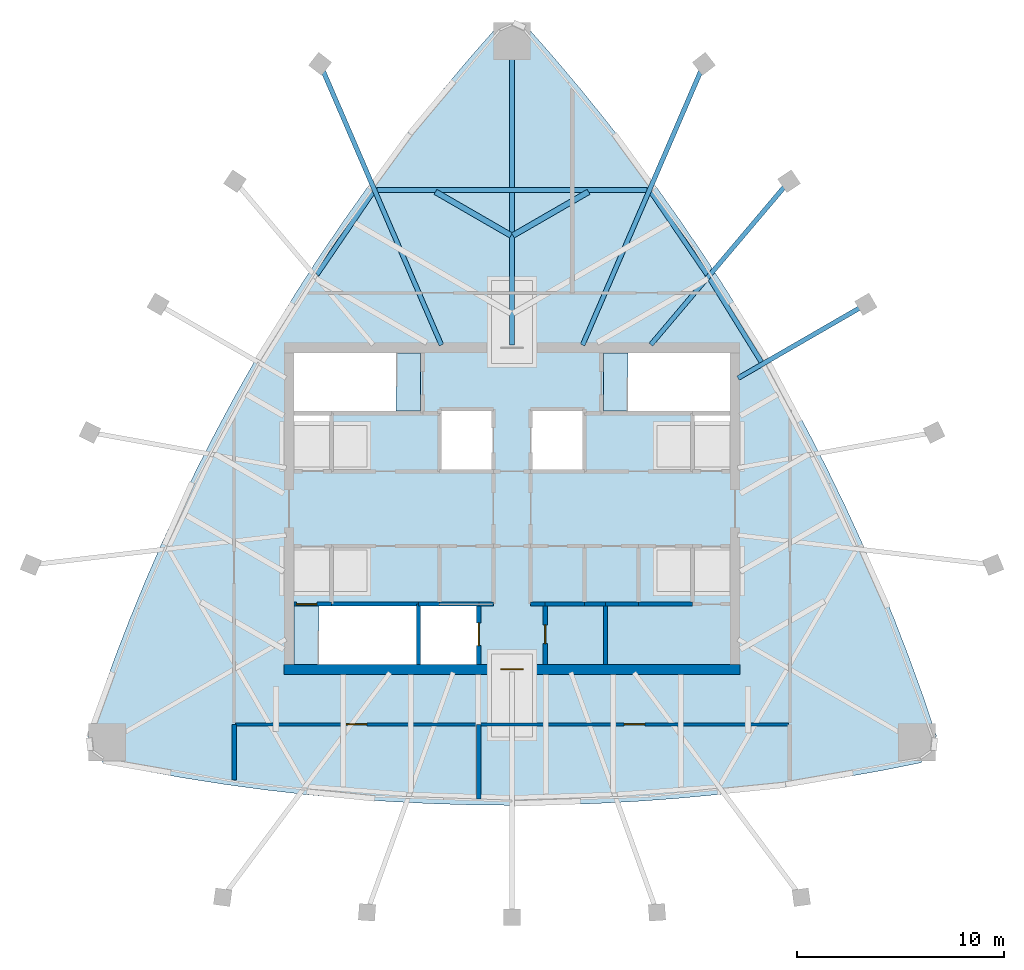
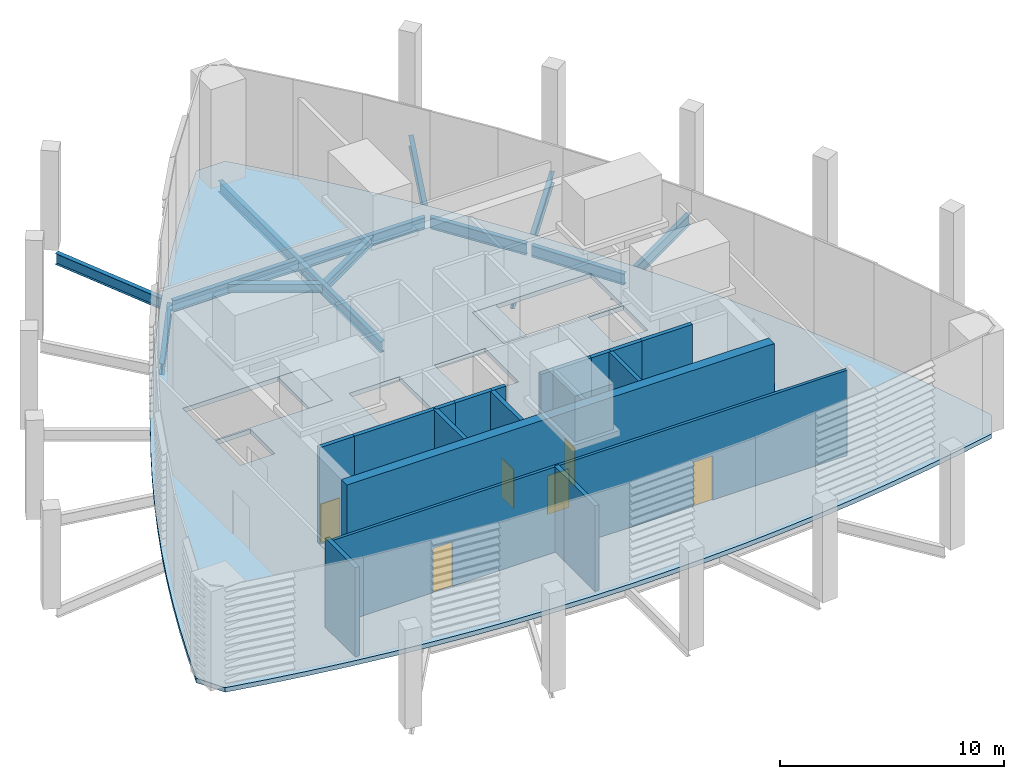
# One storey, part 2 of 8: 18 walls, 11 beams, 6 doors, 4 slabs, 6 openings.
"""IFC4 building model written with IfcOpenShell, lengths in metres."""

import ifcopenshell
import ifcopenshell.guid

model = None  # the IFC model being written
_history = None  # IfcOwnerHistory: only IFC2X3 demands one
_inside = {}  # id of a spatial element -> (the spatial element, [elements in it])
_under = {}  # id of a project, library or spatial element -> (it, [spatial elements below it])
_declared = {}  # id of a project -> (the project, [libraries it declares])
_typed = {}  # id of a type object -> (the type object, [elements of that type])
_made_of = {}  # id of a material, layer set ... -> (it, [elements and type objects made of it])


def new_model(schema):
    """Start an empty IFC model of exactly this schema.

    Asked for "IFC4X3", IfcOpenShell would pick the latest addendum, in which some entities
    have other attributes; the version numbers below select the first issue.
    IFC2X3 requires an IfcOwnerHistory on every rooted entity: one is made here for all.
    """
    global model, _history
    if schema == "IFC4X3":
        model = ifcopenshell.file(schema_version=(4, 3, 0, 0))
    else:
        model = ifcopenshell.file(schema=schema)
    _inside.clear()
    _under.clear()
    _declared.clear()
    _typed.clear()
    _made_of.clear()
    _history = None
    if model.schema == "IFC2X3":
        org = make("IfcOrganization", Name="unknown")
        user = make(
            "IfcPersonAndOrganization",
            ThePerson=make("IfcPerson", FamilyName="unknown"),
            TheOrganization=org,
        )
        app = make(
            "IfcApplication",
            ApplicationDeveloper=org,
            Version="unknown",
            ApplicationFullName="unknown",
            ApplicationIdentifier="unknown",
        )
        _history = make(
            "IfcOwnerHistory",
            OwningUser=user,
            OwningApplication=app,
            ChangeAction="ADDED",
            CreationDate=0,
        )
    return model


def make(cls, **values):
    """One entity of the class cls with the attributes given. An attribute that is None is left unset."""
    return model.create_entity(
        cls, **{name: value for name, value in values.items() if value is not None}
    )


def rooted(cls, **values):
    """An entity with a GlobalId (a new one), such as an element, a storey or a relation."""
    return make(cls, GlobalId=ifcopenshell.guid.new(), OwnerHistory=_history, **values)


def si_unit(unit_type, name, prefix=None):
    """IfcSIUnit, for example si_unit("LENGTHUNIT", "METRE", prefix="MILLI")."""
    return make("IfcSIUnit", UnitType=unit_type, Prefix=prefix, Name=name)


def assignment(units):
    """IfcUnitAssignment: the units of a project."""
    return None if units is None else make("IfcUnitAssignment", Units=units)


def point(xyz):
    """IfcCartesianPoint."""
    return None if xyz is None else make("IfcCartesianPoint", Coordinates=xyz)


def direction(xyz):
    """IfcDirection."""
    return None if xyz is None else make("IfcDirection", DirectionRatios=xyz)


def frame(location, z_axis=None, x_axis=None):
    """IfcAxis2Placement3D, a coordinate frame: its origin and axes. An axis left out is left unset."""
    return make(
        "IfcAxis2Placement3D",
        Location=point(location),
        Axis=direction(z_axis),
        RefDirection=direction(x_axis),
    )


def frame_2d(location, x_axis=None):
    """IfcAxis2Placement2D, a coordinate frame in the plane: its origin and x axis."""
    return make(
        "IfcAxis2Placement2D", Location=point(location), RefDirection=direction(x_axis)
    )


def origin():
    """The frame at (0, 0, 0) with its axes left unset."""
    return frame((0.0, 0.0, 0.0))


def origin_2d():
    """The frame at (0, 0) in the plane with its x axis left unset."""
    return frame_2d((0.0, 0.0))


def place(relative_to, where):
    """IfcLocalPlacement: puts the frame where relative to a parent placement (None: the world)."""
    return make(
        "IfcLocalPlacement", PlacementRelTo=relative_to, RelativePlacement=where
    )


def context(
    kind, dimensions, precision=None, world=None, true_north=None, identifier=None
):
    """IfcGeometricRepresentationContext, for example the 3D "Model" context."""
    return make(
        "IfcGeometricRepresentationContext",
        ContextIdentifier=identifier,
        ContextType=kind,
        CoordinateSpaceDimension=dimensions,
        Precision=precision,
        WorldCoordinateSystem=world,
        TrueNorth=true_north,
    )


def subcontext(parent, identifier, kind, view, scale=None):
    """IfcGeometricRepresentationSubContext, for example "Body" below "Model"."""
    return make(
        "IfcGeometricRepresentationSubContext",
        ContextIdentifier=identifier,
        ContextType=kind,
        ParentContext=parent,
        TargetScale=scale,
        TargetView=view,
    )


def project(units=None, contexts=None):
    """IfcProject with its units and contexts."""
    return rooted(
        "IfcProject",
        Name="project",
        RepresentationContexts=contexts,
        UnitsInContext=assignment(units),
    )


def spatial(cls, under=None, at=None, **own):
    """A site, building, storey or space (cls), placed at a placement, below another one or the project."""
    s = rooted(cls, ObjectPlacement=at, **own)
    if under is not None:
        _under.setdefault(under.id(), (under, []))[1].append(s)
    return s


def polyline(points):
    """IfcPolyline through the points."""
    return make("IfcPolyline", Points=[point(p) for p in points])


def profile(cls, at=None, kind="AREA", **sizes):
    """A parametric profile (cls). Its sizes go by their IFC names, for example OverallWidth=200.0."""
    return make(cls, ProfileType=kind, Position=at, **sizes)


def rectangle(**sizes):
    """IfcRectangleProfileDef."""
    return profile("IfcRectangleProfileDef", **sizes)


def i_section(**sizes):
    """IfcIShapeProfileDef."""
    return profile("IfcIShapeProfileDef", **sizes)


def outline(outer, holes=None, kind="AREA"):
    """IfcArbitraryClosedProfileDef: a profile drawn as a closed curve; with holes, ...WithVoids."""
    if holes is None:
        return make("IfcArbitraryClosedProfileDef", ProfileType=kind, OuterCurve=outer)
    return make(
        "IfcArbitraryProfileDefWithVoids",
        ProfileType=kind,
        OuterCurve=outer,
        InnerCurves=holes,
    )


def extrude(swept, where, along, depth):
    """IfcExtrudedAreaSolid: the profile swept, set in the frame where, extruded along a direction by depth."""
    return make(
        "IfcExtrudedAreaSolid",
        SweptArea=swept,
        Position=where,
        ExtrudedDirection=direction(along),
        Depth=depth,
    )


def clip(a, b, op="DIFFERENCE"):
    """IfcBooleanClippingResult: the solid a cut by the half space b."""
    return make(
        "IfcBooleanClippingResult", Operator=op, FirstOperand=a, SecondOperand=b
    )


def halfspace(plane, agree):
    """IfcHalfSpaceSolid: all space on one side of the plane z = 0 of the frame plane."""
    return make(
        "IfcHalfSpaceSolid",
        BaseSurface=make("IfcPlane", Position=plane),
        AgreementFlag=agree,
    )


def shape(context_of_items, identifier, shape_type, items):
    """IfcShapeRepresentation: the items that make up one representation, for example the "Body"."""
    return make(
        "IfcShapeRepresentation",
        ContextOfItems=context_of_items,
        RepresentationIdentifier=identifier,
        RepresentationType=shape_type,
        Items=items,
    )


def material(Name=None, Category=None):
    """IfcMaterial."""
    return make("IfcMaterial", Name=Name, Category=Category)


def layer(
    of_material, thickness, ventilated=None, Name=None, Category=None, Priority=None
):
    """IfcMaterialLayer: one layer of a wall or slab, of a material (None: an air gap)."""
    return make(
        "IfcMaterialLayer",
        Material=of_material,
        LayerThickness=thickness,
        IsVentilated=ventilated,
        Name=Name,
        Category=Category,
        Priority=Priority,
    )


def layer_set(layers, Name=None):
    """IfcMaterialLayerSet."""
    return make("IfcMaterialLayerSet", MaterialLayers=layers, LayerSetName=Name)


def material_profile(
    of_material, cross_section, Name=None, Category=None, Priority=None
):
    """IfcMaterialProfile: a cross section and its material."""
    return make(
        "IfcMaterialProfile",
        Name=Name,
        Material=of_material,
        Profile=cross_section,
        Priority=Priority,
        Category=Category,
    )


def profile_set(profiles, Name=None, composite=None):
    """IfcMaterialProfileSet."""
    return make(
        "IfcMaterialProfileSet",
        Name=Name,
        MaterialProfiles=profiles,
        CompositeProfile=composite,
    )


def made_of(thing, what):
    """Note that an element or type object is made of a material, layer set ...; save() writes the relation."""
    if what is not None:
        _made_of.setdefault(what.id(), (what, []))[1].append(thing)
    return thing


def type_object(cls, material=None, **own):
    """A type object (cls), such as IfcWallType, which elements share."""
    return made_of(rooted(cls, **own), material)


def element(
    cls,
    number,
    at=None,
    inside=None,
    cuts=None,
    type_object=None,
    material=None,
    context=None,
    identifier="Body",
    shape_type=None,
    held_by="IfcProductDefinitionShape",
    body=None,
    shapes=None,
    **own,
):
    """One element of the class cls, such as IfcWall. Its Tag is "e" and its number.

    at: its placement. inside: the storey or other place that contains it. cuts: it is an
    opening in that element (IfcRelVoidsElement). A single representation is given by context,
    identifier, shape_type and body (its items); several are given by shapes. held_by: the class
    of the entity that holds the representations. save() writes the other relations.
    """
    e = rooted(cls, Tag="e%d" % number, ObjectPlacement=at, **own)
    if body is not None:
        shapes = [shape(context, identifier, shape_type, body)]
    if shapes is not None:
        e.Representation = make(held_by, Representations=shapes)
    if inside is not None:
        _inside.setdefault(inside.id(), (inside, []))[1].append(e)
    if cuts is not None:
        rooted(
            "IfcRelVoidsElement", RelatingBuildingElement=cuts, RelatedOpeningElement=e
        )
    if type_object is not None:
        _typed.setdefault(type_object.id(), (type_object, []))[1].append(e)
    return made_of(e, material)


def fill(opening, filler):
    """IfcRelFillsElement: the door or window that sits in an opening."""
    return rooted(
        "IfcRelFillsElement",
        RelatingOpeningElement=opening,
        RelatedBuildingElement=filler,
    )


def aggregate(whole, parts):
    """IfcRelAggregates: a whole, such as a stair, and the parts it consists of."""
    return rooted("IfcRelAggregates", RelatingObject=whole, RelatedObjects=parts)


def save(model, path):
    """Write the relations noted so far, then the file.

    IfcRelAggregates (storeys below a building ...), IfcRelContainedInSpatialStructure (elements
    in a storey), IfcRelDefinesByType, IfcRelAssociatesMaterial and IfcRelDeclares: one each for
    every whole, place, type object, material and project.
    """
    for whole, parts in _under.values():
        aggregate(whole, parts)
    for where, things in _inside.values():
        rooted(
            "IfcRelContainedInSpatialStructure",
            RelatedElements=things,
            RelatingStructure=where,
        )
    for kind, things in _typed.values():
        rooted("IfcRelDefinesByType", RelatedObjects=things, RelatingType=kind)
    for what, things in _made_of.values():
        rooted("IfcRelAssociatesMaterial", RelatedObjects=things, RelatingMaterial=what)
    for by, libraries in _declared.values():
        rooted("IfcRelDeclares", RelatingContext=by, RelatedDefinitions=libraries)
    model.write(path)


model = new_model("IFC4")

# Units and contexts
model_context = context("Model", 3, precision=1e-05, world=origin(), true_north=direction((0.0, 1.0)))
body_context = subcontext(model_context, "Body", "Model", "MODEL_VIEW")
ifc_project = project(units=[si_unit("LENGTHUNIT", "METRE"), si_unit("AREAUNIT", "SQUARE_METRE"), si_unit("VOLUMEUNIT", "CUBIC_METRE"), si_unit("PLANEANGLEUNIT", "RADIAN"), si_unit("MASSUNIT", "GRAM", prefix="KILO")], contexts=[model_context])

# Site, building, storey
site_placement = place(None, origin())
site = spatial("IfcSite", under=ifc_project, at=site_placement, CompositionType="ELEMENT")
building_placement = place(site_placement, origin())
building = spatial("IfcBuilding", under=site, at=building_placement, Name="Sierra Prisma Convention Tower", CompositionType="ELEMENT")
storey_placement = place(building_placement, frame((0.0, 0.0, 355.60009765625)))
storey = spatial("IfcBuildingStorey", under=building, at=storey_placement, Name="L79", CompositionType="ELEMENT", Elevation=355.60009765625)

# Beams
ifc_material_1 = material(Name="Steel ASTM A992 Gr 50", Category="steel")
ifc_material_profile_1 = material_profile(ifc_material_1, i_section(OverallWidth=0.280029296875, OverallDepth=0.462890625, WebThickness=0.0107421875, FlangeThickness=0.017333984375, at=origin_2d()), Name="W460x113")
ifc_profile_set_1 = profile_set([ifc_material_profile_1], Name="Steel ASTM A992 Gr 50")
beam_type_1 = type_object("IfcBeamType", Name="Plant floor joist W460x113", PredefinedType="JOIST", material=ifc_profile_set_1)
for number, where, z_axis, x_axis, name in (
    (1, (3.689208984375, 15.27392578125, -0.481689453125), (-0.866034836963, -0.4999836609, 0.0), (0.4999836609, -0.866034836963, 0.0), "Floor joist L79 NE10"),
    (2, (-3.689208984375, 15.27392578125, -0.481689453125), (0.866034836963, -0.4999836609, 0.0), (0.4999836609, 0.866034836963, 0.0), "Floor joist L79 NW03"),
):
    element("IfcBeam", number, at=place(storey_placement, frame(where, z_axis=z_axis, x_axis=x_axis)), inside=storey, type_object=beam_type_1, Name=name, PredefinedType="JOIST", context=body_context, shape_type="SweptSolid", body=[
        extrude(i_section(OverallWidth=0.280029296875, OverallDepth=0.462890625, WebThickness=0.0107421875, FlangeThickness=0.017333984375, at=origin_2d()), origin(), (0.0, 0.0, 1.0), 4.207275390625),
    ])
ifc_material_2 = material(Name="Steel ASTM A992 Gr 50", Category="steel")
ifc_material_profile_2 = material_profile(ifc_material_2, i_section(OverallWidth=0.22802734375, OverallDepth=0.60302734375, WebThickness=0.010498046875, FlangeThickness=0.014892578125, at=origin_2d()), Name="W610x101")
ifc_profile_set_2 = profile_set([ifc_material_profile_2], Name="Steel ASTM A992 Gr 50")
beam_type_2 = type_object("IfcBeamType", Name="Radial girder W610x101", PredefinedType="BEAM", material=ifc_profile_set_2)
beam_1_placement = place(storey_placement, frame((16.818115234375, 9.7099609375, -0.551513671875), z_axis=(-0.866022087412, -0.500005744082, 0.0), x_axis=(0.500005744082, -0.866022087412, 0.0)))
element("IfcBeam", 3, at=beam_1_placement, inside=storey, type_object=beam_type_2, Name="Radial girder L79 PC-NE-3", PredefinedType="BEAM", context=body_context, shape_type="SweptSolid", body=[
    extrude(i_section(OverallWidth=0.22802734375, OverallDepth=0.60302734375, WebThickness=0.010498046875, FlangeThickness=0.014892578125, at=origin_2d()), origin(), (0.0, 0.0, 1.0), 6.83837890625),
])
beam_2_placement = place(storey_placement, frame((13.16552734375, 15.555908203125, -0.551513671875), z_axis=(-0.646028534804, -0.76331325956, 0.0), x_axis=(0.76331325956, -0.646028534804, 0.0)))
element("IfcBeam", 4, at=beam_2_placement, inside=storey, type_object=beam_type_2, Name="Radial girder L79 PC-NE-4", PredefinedType="BEAM", context=body_context, shape_type="SweptSolid", body=[
    extrude(i_section(OverallWidth=0.22802734375, OverallDepth=0.60302734375, WebThickness=0.010498046875, FlangeThickness=0.014892578125, at=origin_2d()), origin(), (0.0, 0.0, 1.0), 10.018798828125),
])
beam_3_placement = place(storey_placement, frame((9.117919921875, 21.13427734375, -0.551513671875), z_axis=(-0.396140636376, -0.918189847587, 0.0), x_axis=(0.918189847587, -0.396140636376, 0.0)))
element("IfcBeam", 5, at=beam_3_placement, inside=storey, type_object=beam_type_2, Name="Radial girder L79 PC-NE-5", PredefinedType="BEAM", context=body_context, shape_type="SweptSolid", body=[
    extrude(i_section(OverallWidth=0.22802734375, OverallDepth=0.60302734375, WebThickness=0.010498046875, FlangeThickness=0.014892578125, at=origin_2d()), origin(), (0.0, 0.0, 1.0), 14.424560546875),
])
beam_4_placement = place(storey_placement, frame((0.0, 22.3525390625, -0.551513671875), z_axis=(0.0, -1.0, 0.0), x_axis=(1.0, 0.0, 0.0)))
element("IfcBeam", 6, at=beam_4_placement, inside=storey, type_object=beam_type_2, Name="Radial girder L79 MC-N", PredefinedType="BEAM", context=body_context, shape_type="SweptSolid", body=[
    extrude(i_section(OverallWidth=0.22802734375, OverallDepth=0.60302734375, WebThickness=0.010498046875, FlangeThickness=0.014892578125, at=origin_2d()), origin(), (0.0, 0.0, 1.0), 14.47265625),
])
beam_5_placement = place(storey_placement, frame((-9.117919921875, 21.13427734375, -0.551513671875), z_axis=(0.396140636376, -0.918189847587, 0.0), x_axis=(0.918189847587, 0.396140636376, 0.0)))
element("IfcBeam", 7, at=beam_5_placement, inside=storey, type_object=beam_type_2, Name="Radial girder L79 PC-NW-1", PredefinedType="BEAM", context=body_context, shape_type="SweptSolid", body=[
    extrude(i_section(OverallWidth=0.22802734375, OverallDepth=0.60302734375, WebThickness=0.010498046875, FlangeThickness=0.014892578125, at=origin_2d()), origin(), (0.0, 0.0, 1.0), 14.424560546875),
])
ifc_material_3 = material(Name="Steel ASTM A992 Gr 50", Category="steel")
ifc_material_profile_3 = material_profile(ifc_material_3, i_section(OverallWidth=0.22998046875, OverallDepth=0.616943359375, WebThickness=0.01318359375, FlangeThickness=0.022216796875, at=origin_2d()), Name="W610x140")
ifc_profile_set_3 = profile_set([ifc_material_profile_3], Name="Steel ASTM A992 Gr 50")
beam_type_3 = type_object("IfcBeamType", Name="Spandrel beam W610x140", PredefinedType="BEAM", material=ifc_profile_set_3)
beam_6_placement = place(storey_placement, frame((12.026123046875, 7.0634765625, -0.55859375), z_axis=(-0.526719564314, 0.850039117082, 0.0), x_axis=(-0.850039117082, -0.526719564314, 0.0)))
element("IfcBeam", 8, at=beam_6_placement, inside=storey, type_object=beam_type_3, Name="Crown edge beam L79-09", PredefinedType="BEAM", context=body_context, shape_type="SweptSolid", body=[
    clip(clip(extrude(i_section(OverallWidth=0.22998046875, OverallDepth=0.616943359375, WebThickness=0.01318359375, FlangeThickness=0.022216796875, at=origin_2d()), origin(), (0.0, 0.0, 1.0), 4.74365234375), halfspace(frame((-0.00341796875, 0.0, 0.009765625), z_axis=(-0.031132953279, 0.0, 0.99951525212), x_axis=(0.99951525212, 0.0, 0.031132953279)), True)), halfspace(frame((-0.03515625, 0.0, 4.7451171875), z_axis=(-0.3085775596, 0.0, -0.951199185088), x_axis=(0.951199185088, 0.0, -0.3085775596)), True)),
])
beam_7_placement = place(storey_placement, frame((9.40869140625, 11.278564453125, -0.55859375), z_axis=(-0.562628854747, 0.826709605488, 0.0), x_axis=(-0.826709605488, -0.562628854747, 0.0)))
element("IfcBeam", 9, at=beam_7_placement, inside=storey, type_object=beam_type_3, Name="Crown edge beam L79-10", PredefinedType="BEAM", context=body_context, shape_type="SweptSolid", body=[
    clip(clip(extrude(i_section(OverallWidth=0.22998046875, OverallDepth=0.616943359375, WebThickness=0.01318359375, FlangeThickness=0.022216796875, at=origin_2d()), origin(), (0.0, 0.0, 1.0), 4.816650390625), halfspace(frame((0.0302734375, 0.0, 0.00146484375), z_axis=(0.267571502455, 0.0, 0.963538007073), x_axis=(0.963538007073, 0.0, -0.267571502455)), True)), halfspace(frame((-0.061279296875, 0.0, 4.845458984375), z_axis=(-0.536204519273, 0.0, -0.844088095824), x_axis=(0.844088095824, 0.0, -0.536204519273)), True)),
])
beam_8_placement = place(storey_placement, frame((6.51416015625, 15.364013671875, -0.55859375), z_axis=(-1.0, 0.0, 0.0), x_axis=(0.0, -1.0, 0.0)))
element("IfcBeam", 10, at=beam_8_placement, inside=storey, type_object=beam_type_3, Name="Crown edge beam L79-11", PredefinedType="BEAM", context=body_context, shape_type="SweptSolid", body=[
    clip(clip(extrude(i_section(OverallWidth=0.22998046875, OverallDepth=0.616943359375, WebThickness=0.01318359375, FlangeThickness=0.022216796875, at=origin_2d()), origin(), (0.0, 0.0, 1.0), 13.0283203125), halfspace(frame((-0.045166015625, 0.0, -0.009521484375), z_axis=(-0.396131602107, 0.0, 0.918193745248), x_axis=(0.918193745248, 0.0, 0.396131602107)), True)), halfspace(frame((-0.045166015625, 0.0, 13.037841796875), z_axis=(-0.396131602107, 0.0, -0.918193745248), x_axis=(0.918193745248, 0.0, -0.396131602107)), True)),
])
beam_9_placement = place(storey_placement, frame((-6.69873046875, 15.260498046875, -0.55859375), z_axis=(-0.562628854747, -0.826709605488, 0.0), x_axis=(0.826709605488, -0.562628854747, 0.0)))
element("IfcBeam", 11, at=beam_9_placement, inside=storey, type_object=beam_type_3, Name="Crown edge beam L79-12", PredefinedType="BEAM", context=body_context, shape_type="SweptSolid", body=[
    clip(clip(extrude(i_section(OverallWidth=0.22998046875, OverallDepth=0.616943359375, WebThickness=0.01318359375, FlangeThickness=0.022216796875, at=origin_2d()), origin(), (0.0, 0.0, 1.0), 4.816650390625), halfspace(frame((-0.061279296875, 0.0, -0.02880859375), z_axis=(-0.536204519273, 0.0, 0.844088095824), x_axis=(0.844088095824, 0.0, 0.536204519273)), True)), halfspace(frame((0.0302734375, 0.0, 4.815185546875), z_axis=(0.267571502455, 0.0, -0.963538007073), x_axis=(0.963538007073, 0.0, 0.267571502455)), True)),
])

# Slabs
ifc_material_4 = material(Name="Concrete C35/45", Category="concrete")
ifc_layer_1 = layer(ifc_material_4, 0.25)
ifc_layer_set_1 = layer_set([ifc_layer_1], Name="Convention floor slab 250")
slab_type_1 = type_object("IfcSlabType", Name="Convention floor slab 250", PredefinedType="FLOOR", material=ifc_layer_set_1)
slab_1_placement = place(storey_placement, frame((0.0, 0.0, -0.25)))
element("IfcSlab", 12, at=slab_1_placement, inside=storey, type_object=slab_type_1, Name="Floor slab L79 floor", PredefinedType="FLOOR", context=body_context, shape_type="SweptSolid", body=[
    extrude(outline(polyline([(-19.719970703125, -12.244873046875), (-17.772216796875, -12.634033203125), (-15.81689453125, -12.98291015625), (-13.854736328125, -13.291015625), (-11.88671875, -13.558349609375), (-9.913330078125, -13.784912109375), (-7.935791015625, -13.97021484375), (-5.954833984375, -14.114501953125), (-3.971435546875, -14.217529296875), (-1.986083984375, -14.279296875), (0.0, -14.300048828125), (1.986083984375, -14.279296875), (3.971435546875, -14.217529296875), (5.954833984375, -14.114501953125), (7.935791015625, -13.97021484375), (9.913330078125, -13.784912109375), (11.88671875, -13.558349609375), (13.854736328125, -13.291015625), (15.81689453125, -12.98291015625), (17.772216796875, -12.634033203125), (19.719970703125, -12.244873046875), (20.46435546875, -10.95556640625), (19.82763671875, -9.07421875), (19.152099609375, -7.206298828125), (18.437744140625, -5.35302734375), (17.685302734375, -3.514892578125), (16.894775390625, -1.69287109375), (16.06640625, 0.112548828125), (15.200927734375, 1.900146484375), (14.29833984375, 3.66943359375), (13.359375, 5.419677734375), (12.38427734375, 7.14990234375), (11.373291015625, 8.859619140625), (10.3271484375, 10.548095703125), (9.24609375, 12.21435546875), (8.130615234375, 13.857666015625), (6.981201171875, 15.4775390625), (5.798583984375, 17.0732421875), (4.5830078125, 18.64404296875), (3.335205078125, 20.189453125), (2.055419921875, 21.708251953125), (0.744384765625, 23.200439453125), (-0.744384765625, 23.200439453125), (-2.055419921875, 21.708251953125), (-3.335205078125, 20.189453125), (-4.5830078125, 18.64404296875), (-5.798583984375, 17.0732421875), (-6.981201171875, 15.4775390625), (-8.130615234375, 13.857666015625), (-9.24609375, 12.21435546875), (-10.3271484375, 10.548095703125), (-11.373291015625, 8.859619140625), (-12.38427734375, 7.14990234375), (-13.359375, 5.419677734375), (-14.29833984375, 3.66943359375), (-15.200927734375, 1.900146484375), (-16.06640625, 0.112548828125), (-16.894775390625, -1.69287109375), (-17.685302734375, -3.514892578125), (-18.437744140625, -5.35302734375), (-19.152099609375, -7.206298828125), (-19.82763671875, -9.07421875), (-20.46435546875, -10.95556640625), (-19.719970703125, -12.244873046875)]), holes=[polyline([(-4.60009765625, -4.699951171875), (-4.60009765625, -7.5), (-10.5, -7.5), (-10.5, -4.699951171875), (-4.60009765625, -4.699951171875)]), polyline([(-1.60009765625, -4.60009765625), (-1.60009765625, -7.5), (-4.5, -7.5), (-4.5, -4.60009765625), (-1.60009765625, -4.60009765625)]), polyline([(-0.89990234375, 4.800048828125), (-0.89990234375, 1.800048828125), (-3.5, 1.800048828125), (-3.5, 4.800048828125), (-0.89990234375, 4.800048828125)]), polyline([(3.5, 4.800048828125), (3.5, 1.800048828125), (0.89990234375, 1.800048828125), (0.89990234375, 4.800048828125), (3.5, 4.800048828125)]), polyline([(-8.699951171875, 4.60009765625), (-8.699951171875, 2.39990234375), (-10.5, 2.39990234375), (-10.5, 4.60009765625), (-8.699951171875, 4.60009765625)]), polyline([(10.5, 4.60009765625), (10.5, 2.39990234375), (8.699951171875, 2.39990234375), (8.699951171875, 4.60009765625), (10.5, 4.60009765625)]), polyline([(-4.39990234375, 7.5), (-4.39990234375, 4.699951171875), (-10.5, 4.699951171875), (-10.5, 7.5), (-4.39990234375, 7.5)]), polyline([(10.5, 7.5), (10.5, 4.699951171875), (4.39990234375, 4.699951171875), (4.39990234375, 7.5), (10.5, 7.5)])]), origin(), (0.0, 0.0, 1.0), 0.25),
])
ifc_material_5 = material(Name="Concrete C35/45", Category="concrete")
ifc_layer_2 = layer(ifc_material_5, 0.199951171875)
ifc_layer_set_2 = layer_set([ifc_layer_2], Name="Stair landing slab")
slab_type_2 = type_object("IfcSlabType", Name="Stair landing slab", PredefinedType="LANDING", material=ifc_layer_set_2)
slab_2_placement = place(storey_placement, frame((0.0, 0.0, -0.2001953125)))
element("IfcSlab", 13, at=slab_2_placement, inside=storey, type_object=slab_type_2, Name="S1 floor landing L79", PredefinedType="LANDING", context=body_context, shape_type="SweptSolid", body=[
    extrude(outline(polyline([(-10.5, -7.5), (-9.298095703125, -7.5), (-9.298095703125, -4.699951171875), (-10.5, -4.699951171875), (-10.5, -7.5)])), origin(), (0.0, 0.0, 1.0), 0.2001953125),
])
slab_3_placement = place(storey_placement, frame((0.0, 0.0, -0.2001953125)))
element("IfcSlab", 14, at=slab_3_placement, inside=storey, type_object=slab_type_2, Name="S3 floor landing L79", PredefinedType="LANDING", context=body_context, shape_type="SweptSolid", body=[
    extrude(outline(polyline([(-4.39990234375, 7.5), (-5.60205078125, 7.5), (-5.60205078125, 4.699951171875), (-4.39990234375, 4.699951171875), (-4.39990234375, 7.5)])), origin(), (0.0, 0.0, 1.0), 0.2001953125),
])
slab_4_placement = place(storey_placement, frame((0.0, 0.0, -0.2001953125)))
element("IfcSlab", 15, at=slab_4_placement, inside=storey, type_object=slab_type_2, Name="S4 floor landing L79", PredefinedType="LANDING", context=body_context, shape_type="SweptSolid", body=[
    extrude(outline(polyline([(4.39990234375, 4.699951171875), (5.60205078125, 4.699951171875), (5.60205078125, 7.5), (4.39990234375, 7.5), (4.39990234375, 4.699951171875)])), origin(), (0.0, 0.0, 1.0), 0.2001953125),
])

# Wall, opening, door
ifc_material_6 = material(Name="Concrete C30/37", Category="concrete")
ifc_layer_3 = layer(ifc_material_6, 0.199951171875)
ifc_layer_set_3 = layer_set([ifc_layer_3], Name="Core wall RC 200 C30/37")
wall_type_1 = type_object("IfcWallType", Name="Core wall RC 200 C30/37", PredefinedType="SOLIDWALL", material=ifc_layer_set_3)
wall_1_placement = place(storey_placement, frame((-10.5, -4.60009765625, 0.0), z_axis=(0.0, 0.0, 1.0), x_axis=(1.0, 0.0, 0.0)))
wall_1 = element("IfcWall", 16, at=wall_1_placement, inside=storey, type_object=wall_type_1, Name="Core wall L79 1", PredefinedType="SOLIDWALL", context=body_context, shape_type="SweptSolid", body=[
    extrude(rectangle(XDim=1.800048828125, YDim=0.199951171875, at=frame_2d((0.89990234375, 0.0))), origin(), (0.0, 0.0, 1.0), 5.25),
])
opening_1_placement = place(wall_1_placement, frame((0.10009765625, 0.0, 0.0)))
opening_1 = element("IfcOpeningElement", 17, at=opening_1_placement, cuts=wall_1, Name="Opening L79-D011", PredefinedType="OPENING", context=body_context, shape_type="SweptSolid", body=[
    extrude(rectangle(XDim=1.0, YDim=2.10009765625, at=frame_2d((0.5, 1.050048828125))), frame((0.0, 0.10009765625, 0.0), z_axis=(0.0, -1.0, 0.0), x_axis=(1.0, 0.0, 0.0)), (0.0, 0.0, 1.0), 0.199951171875),
])
ifc_material_7 = material(Name="Steel fire door leaf", Category="steel")
door_type_1 = type_object("IfcDoorType", Name="Door 1000x2100 FD90S", OperationType="SINGLE_SWING_LEFT", PredefinedType="DOOR", material=ifc_material_7)
door_1_placement = place(opening_1_placement, origin())
door_1 = element("IfcDoor", 18, at=door_1_placement, inside=storey, type_object=door_type_1, Name="Door L79 17", OperationType="SINGLE_SWING_LEFT", OverallHeight=2.10009765625, OverallWidth=1.0, PredefinedType="DOOR", context=body_context, shape_type="SweptSolid", body=[
    extrude(rectangle(XDim=1.0, YDim=2.10009765625, at=frame_2d((0.5, 1.050048828125))), frame((0.0, 0.02490234375, 0.0), z_axis=(0.0, -1.0, 0.0), x_axis=(1.0, 0.0, 0.0)), (0.0, 0.0, 1.0), 0.050048828125),
])
fill(opening_1, door_1)

# Walls
wall_2_placement = place(storey_placement, frame((-8.699951171875, -4.60009765625, 0.0), z_axis=(0.0, 0.0, 1.0), x_axis=(1.0, 0.0, 0.0)))
element("IfcWall", 19, at=wall_2_placement, inside=storey, type_object=wall_type_1, Name="Core wall L79 5", PredefinedType="SOLIDWALL", context=body_context, shape_type="SweptSolid", body=[
    extrude(rectangle(XDim=4.199951171875, YDim=0.199951171875, at=frame_2d((2.10009765625, 0.0))), origin(), (0.0, 0.0, 1.0), 5.25),
])
wall_3_placement = place(storey_placement, frame((-4.5, -4.60009765625, 0.0), z_axis=(0.0, 0.0, 1.0), x_axis=(0.0, -1.0, 0.0)))
element("IfcWall", 20, at=wall_3_placement, inside=storey, type_object=wall_type_1, Name="Core wall L79 11", PredefinedType="SOLIDWALL", context=body_context, shape_type="SweptSolid", body=[
    extrude(rectangle(XDim=2.89990234375, YDim=0.199951171875, at=frame_2d((1.449951171875, 0.0))), origin(), (0.0, 0.0, 1.0), 5.25),
])
wall_4_placement = place(storey_placement, frame((-4.5, -4.60009765625, 0.0), z_axis=(0.0, 0.0, 1.0), x_axis=(1.0, 0.0, 0.0)))
element("IfcWall", 21, at=wall_4_placement, inside=storey, type_object=wall_type_1, Name="Core wall L79 12", PredefinedType="SOLIDWALL", context=body_context, shape_type="SweptSolid", body=[
    extrude(rectangle(XDim=1.0, YDim=0.199951171875, at=frame_2d((0.5, 0.0))), origin(), (0.0, 0.0, 1.0), 5.25),
])
wall_5_placement = place(storey_placement, frame((-3.5, -4.60009765625, 0.0), z_axis=(0.0, 0.0, 1.0), x_axis=(1.0, 0.0, 0.0)))
element("IfcWall", 22, at=wall_5_placement, inside=storey, type_object=wall_type_1, Name="Core wall L79 15", PredefinedType="SOLIDWALL", context=body_context, shape_type="SweptSolid", body=[
    extrude(rectangle(XDim=1.89990234375, YDim=0.199951171875, at=frame_2d((0.949951171875, 0.0))), origin(), (0.0, 0.0, 1.0), 5.25),
])

# Wall, opening, door
wall_6_placement = place(storey_placement, frame((-1.60009765625, -7.5, 0.0), z_axis=(0.0, 0.0, 1.0), x_axis=(0.0, 1.0, 0.0)))
wall_6 = element("IfcWall", 23, at=wall_6_placement, inside=storey, type_object=wall_type_1, Name="Core wall L79 23", PredefinedType="SOLIDWALL", context=body_context, shape_type="SweptSolid", body=[
    extrude(rectangle(XDim=2.89990234375, YDim=0.199951171875, at=frame_2d((1.449951171875, 0.0))), origin(), (0.0, 0.0, 1.0), 5.25),
])
opening_2_placement = place(wall_6_placement, frame((0.89990234375, 0.0, 0.0)))
opening_2 = element("IfcOpeningElement", 24, at=opening_2_placement, cuts=wall_6, Name="Opening L79-D003", PredefinedType="OPENING", context=body_context, shape_type="SweptSolid", body=[
    extrude(rectangle(XDim=1.10009765625, YDim=2.10009765625, at=frame_2d((0.550048828125, 1.050048828125))), frame((0.0, 0.10009765625, 0.0), z_axis=(0.0, -1.0, 0.0), x_axis=(1.0, 0.0, 0.0)), (0.0, 0.0, 1.0), 0.199951171875),
])
ifc_material_8 = material(Name="Steel fire door leaf", Category="steel")
door_type_2 = type_object("IfcDoorType", Name="Door 1100x2100 EI 90 sliding lift landing", OperationType="SLIDING_TO_LEFT", PredefinedType="DOOR", material=ifc_material_8)
door_2_placement = place(opening_2_placement, origin())
door_2 = element("IfcDoor", 25, at=door_2_placement, inside=storey, type_object=door_type_2, Name="Door L79 9", OperationType="SLIDING_TO_RIGHT", OverallHeight=2.10009765625, OverallWidth=1.10009765625, PredefinedType="DOOR", context=body_context, shape_type="SweptSolid", body=[
    extrude(rectangle(XDim=1.10009765625, YDim=2.10009765625, at=frame_2d((0.550048828125, 1.050048828125))), frame((0.0, 0.02490234375, 0.0), z_axis=(0.0, -1.0, 0.0), x_axis=(1.0, 0.0, 0.0)), (0.0, 0.0, 1.0), 0.050048828125),
])
fill(opening_2, door_2)

# Walls
for number, where, z_axis, x_axis, name in (
    (26, (-1.60009765625, -4.60009765625, 0.0), (0.0, 0.0, 1.0), (1.0, 0.0, 0.0), "Core wall L79 24"),
    (27, (0.89990234375, -4.60009765625, 0.0), (0.0, 0.0, 1.0), (1.0, 0.0, 0.0), "Core wall L79 32"),
):
    element("IfcWall", number, at=place(storey_placement, frame(where, z_axis=z_axis, x_axis=x_axis)), inside=storey, type_object=wall_type_1, Name=name, PredefinedType="SOLIDWALL", context=body_context, shape_type="SweptSolid", body=[
        extrude(rectangle(XDim=0.7001953125, YDim=0.199951171875, at=frame_2d((0.35009765625, 0.0))), origin(), (0.0, 0.0, 1.0), 5.25),
    ])

# Wall, opening, door
wall_7_placement = place(storey_placement, frame((1.60009765625, -4.60009765625, 0.0), z_axis=(0.0, 0.0, 1.0), x_axis=(0.0, -1.0, 0.0)))
wall_7 = element("IfcWall", 28, at=wall_7_placement, inside=storey, type_object=wall_type_1, Name="Core wall L79 37", PredefinedType="SOLIDWALL", context=body_context, shape_type="SweptSolid", body=[
    extrude(rectangle(XDim=2.89990234375, YDim=0.199951171875, at=frame_2d((1.449951171875, 0.0))), origin(), (0.0, 0.0, 1.0), 5.25),
])
opening_3_placement = place(wall_7_placement, frame((1.0, 0.0, 0.0)))
opening_3 = element("IfcOpeningElement", 29, at=opening_3_placement, cuts=wall_7, Name="Opening L79-D023", PredefinedType="OPENING", context=body_context, shape_type="SweptSolid", body=[
    extrude(rectangle(XDim=0.89990234375, YDim=2.10009765625, at=frame_2d((0.449951171875, 1.050048828125))), frame((0.0, 0.10009765625, 0.0), z_axis=(0.0, -1.0, 0.0), x_axis=(1.0, 0.0, 0.0)), (0.0, 0.0, 1.0), 0.199951171875),
])
ifc_material_9 = material(Name="Steel fire door leaf", Category="steel")
door_type_3 = type_object("IfcDoorType", Name="Door 900x2100 FD30S", OperationType="SINGLE_SWING_LEFT", PredefinedType="DOOR", material=ifc_material_9)
door_3_placement = place(opening_3_placement, origin())
door_3 = element("IfcDoor", 30, at=door_3_placement, inside=storey, type_object=door_type_3, Name="Door L79 29", OperationType="SINGLE_SWING_RIGHT", OverallHeight=2.10009765625, OverallWidth=0.89990234375, PredefinedType="DOOR", context=body_context, shape_type="SweptSolid", body=[
    extrude(rectangle(XDim=0.89990234375, YDim=2.10009765625, at=frame_2d((0.449951171875, 1.050048828125))), frame((0.0, 0.02490234375, 0.0), z_axis=(0.0, -1.0, 0.0), x_axis=(1.0, 0.0, 0.0)), (0.0, 0.0, 1.0), 0.050048828125),
])
fill(opening_3, door_3)

# Walls
wall_8_placement = place(storey_placement, frame((1.60009765625, -4.60009765625, 0.0), z_axis=(0.0, 0.0, 1.0), x_axis=(1.0, 0.0, 0.0)))
element("IfcWall", 31, at=wall_8_placement, inside=storey, type_object=wall_type_1, Name="Core wall L79 38", PredefinedType="SOLIDWALL", context=body_context, shape_type="SweptSolid", body=[
    extrude(rectangle(XDim=1.89990234375, YDim=0.199951171875, at=frame_2d((0.949951171875, 0.0))), origin(), (0.0, 0.0, 1.0), 5.25),
])
wall_9_placement = place(storey_placement, frame((3.5, -4.60009765625, 0.0), z_axis=(0.0, 0.0, 1.0), x_axis=(1.0, 0.0, 0.0)))
element("IfcWall", 32, at=wall_9_placement, inside=storey, type_object=wall_type_1, Name="Core wall L79 39", PredefinedType="SOLIDWALL", context=body_context, shape_type="SweptSolid", body=[
    extrude(rectangle(XDim=1.0, YDim=0.199951171875, at=frame_2d((0.5, 0.0))), origin(), (0.0, 0.0, 1.0), 5.25),
])
wall_10_placement = place(storey_placement, frame((4.5, -4.60009765625, 0.0), z_axis=(0.0, 0.0, 1.0), x_axis=(0.0, -1.0, 0.0)))
element("IfcWall", 33, at=wall_10_placement, inside=storey, type_object=wall_type_1, Name="Core wall L79 47", PredefinedType="SOLIDWALL", context=body_context, shape_type="SweptSolid", body=[
    extrude(rectangle(XDim=2.89990234375, YDim=0.199951171875, at=frame_2d((1.449951171875, 0.0))), origin(), (0.0, 0.0, 1.0), 5.25),
])
wall_11_placement = place(storey_placement, frame((4.5, -4.60009765625, 0.0), z_axis=(0.0, 0.0, 1.0), x_axis=(1.0, 0.0, 0.0)))
element("IfcWall", 34, at=wall_11_placement, inside=storey, type_object=wall_type_1, Name="Core wall L79 48", PredefinedType="SOLIDWALL", context=body_context, shape_type="SweptSolid", body=[
    extrude(rectangle(XDim=1.60009765625, YDim=0.199951171875, at=frame_2d((0.800048828125, 0.0))), origin(), (0.0, 0.0, 1.0), 5.25),
])
wall_12_placement = place(storey_placement, frame((6.10009765625, -4.60009765625, 0.0), z_axis=(0.0, 0.0, 1.0), x_axis=(1.0, 0.0, 0.0)))
element("IfcWall", 35, at=wall_12_placement, inside=storey, type_object=wall_type_1, Name="Core wall L79 49", PredefinedType="SOLIDWALL", context=body_context, shape_type="SweptSolid", body=[
    extrude(rectangle(XDim=2.599853515625, YDim=0.199951171875, at=frame_2d((1.2998046875, 0.0))), origin(), (0.0, 0.0, 1.0), 5.25),
])

# Wall, opening, door
ifc_material_10 = material(Name="Concrete C50/60", Category="concrete")
ifc_layer_4 = layer(ifc_material_10, 0.5)
ifc_layer_set_4 = layer_set([ifc_layer_4], Name="Core wall RC 500 C50/60")
wall_type_2 = type_object("IfcWallType", Name="Core wall RC 500 C50/60", PredefinedType="SHEAR", material=ifc_layer_set_4)
wall_13_placement = place(storey_placement, frame((-11.0, -7.75, 0.0), z_axis=(0.0, 0.0, 1.0), x_axis=(1.0, 0.0, 0.0)))
wall_13 = element("IfcWall", 36, at=wall_13_placement, inside=storey, type_object=wall_type_2, Name="Core wall S L79", PredefinedType="SHEAR", context=body_context, shape_type="SweptSolid", body=[
    extrude(rectangle(XDim=22.0, YDim=0.5, at=frame_2d((11.0, 0.0))), origin(), (0.0, 0.0, 1.0), 5.39990234375),
])
opening_4_placement = place(wall_13_placement, frame((10.449951171875, 0.0, 0.0)))
opening_4 = element("IfcOpeningElement", 37, at=opening_4_placement, cuts=wall_13, Name="Opening L79-D032", PredefinedType="OPENING", context=body_context, shape_type="SweptSolid", body=[
    extrude(rectangle(XDim=1.10009765625, YDim=2.10009765625, at=frame_2d((0.550048828125, 1.050048828125))), frame((0.0, 0.25, 0.0), z_axis=(0.0, -1.0, 0.0), x_axis=(1.0, 0.0, 0.0)), (0.0, 0.0, 1.0), 0.5),
])
ifc_material_11 = material(Name="Steel fire door leaf", Category="steel")
door_type_4 = type_object("IfcDoorType", Name="Door 1100x2100 FD30S", OperationType="SINGLE_SWING_LEFT", PredefinedType="DOOR", material=ifc_material_11)
door_4_placement = place(opening_4_placement, origin())
door_4 = element("IfcDoor", 38, at=door_4_placement, inside=storey, type_object=door_type_4, Name="Door L79 33", OperationType="SINGLE_SWING_RIGHT", OverallHeight=2.10009765625, OverallWidth=1.10009765625, PredefinedType="DOOR", context=body_context, shape_type="SweptSolid", body=[
    extrude(rectangle(XDim=1.10009765625, YDim=2.10009765625, at=frame_2d((0.550048828125, 1.050048828125))), frame((0.0, 0.02490234375, 0.0), z_axis=(0.0, -1.0, 0.0), x_axis=(1.0, 0.0, 0.0)), (0.0, 0.0, 1.0), 0.050048828125),
])
fill(opening_4, door_4)

# Wall, openings, doors
ifc_material_12 = material(Name="Gypsum board partition", Category="gypsum")
ifc_layer_5 = layer(ifc_material_12, 0.14990234375)
ifc_layer_set_5 = layer_set([ifc_layer_5], Name="Corridor wall 150 gypsum EI 60")
wall_type_3 = type_object("IfcWallType", Name="Corridor wall 150 gypsum EI 60", PredefinedType="PARTITIONING", material=ifc_layer_set_5)
wall_14_placement = place(storey_placement, frame((-13.320068359375, -10.39990234375, 0.0), z_axis=(0.0, 0.0, 1.0), x_axis=(1.0, 0.0, 0.0)))
wall_14 = element("IfcWall", 39, at=wall_14_placement, inside=storey, type_object=wall_type_3, Name="Partition L79 corr 2", PredefinedType="PARTITIONING", context=body_context, shape_type="SweptSolid", body=[
    extrude(rectangle(XDim=26.64013671875, YDim=0.14990234375, at=frame_2d((13.320068359375, 0.0))), origin(), (0.0, 0.0, 1.0), 4.642822265625),
])
opening_5_placement = place(wall_14_placement, frame((5.320068359375, 0.0, 0.0)))
opening_5 = element("IfcOpeningElement", 40, at=opening_5_placement, cuts=wall_14, Name="Opening L79-D027", PredefinedType="OPENING", context=body_context, shape_type="SweptSolid", body=[
    extrude(rectangle(XDim=1.0, YDim=2.39990234375, at=frame_2d((0.5, 1.199951171875))), frame((0.0, 0.074951171875, 0.0), z_axis=(0.0, -1.0, 0.0), x_axis=(1.0, 0.0, 0.0)), (0.0, 0.0, 1.0), 0.14990234375),
])
opening_6_placement = place(wall_14_placement, frame((18.719970703125, 0.0, 0.0)))
opening_6 = element("IfcOpeningElement", 41, at=opening_6_placement, cuts=wall_14, Name="Opening L79-D028", PredefinedType="OPENING", context=body_context, shape_type="SweptSolid", body=[
    extrude(rectangle(XDim=1.0, YDim=2.39990234375, at=frame_2d((0.5, 1.199951171875))), frame((0.0, 0.074951171875, 0.0), z_axis=(0.0, -1.0, 0.0), x_axis=(1.0, 0.0, 0.0)), (0.0, 0.0, 1.0), 0.14990234375),
])
ifc_material_13 = material(Name="Steel fire door leaf", Category="steel")
door_type_5 = type_object("IfcDoorType", Name="Door 1000x2400 FD60S", OperationType="SINGLE_SWING_LEFT", PredefinedType="DOOR", material=ifc_material_13)
door_5_placement = place(opening_5_placement, origin())
door_5 = element("IfcDoor", 42, at=door_5_placement, inside=storey, type_object=door_type_5, Name="Door L79 4", OperationType="SINGLE_SWING_LEFT", OverallHeight=2.39990234375, OverallWidth=1.0, PredefinedType="DOOR", context=body_context, shape_type="SweptSolid", body=[
    extrude(rectangle(XDim=1.0, YDim=2.39990234375, at=frame_2d((0.5, 1.199951171875))), frame((0.0, 0.02490234375, 0.0), z_axis=(0.0, -1.0, 0.0), x_axis=(1.0, 0.0, 0.0)), (0.0, 0.0, 1.0), 0.050048828125),
])
fill(opening_5, door_5)
door_6_placement = place(opening_6_placement, origin())
door_6 = element("IfcDoor", 43, at=door_6_placement, inside=storey, type_object=door_type_5, Name="Door L79 5", OperationType="SINGLE_SWING_LEFT", OverallHeight=2.39990234375, OverallWidth=1.0, PredefinedType="DOOR", context=body_context, shape_type="SweptSolid", body=[
    extrude(rectangle(XDim=1.0, YDim=2.39990234375, at=frame_2d((0.5, 1.199951171875))), frame((0.0, 0.02490234375, 0.0), z_axis=(0.0, -1.0, 0.0), x_axis=(1.0, 0.0, 0.0)), (0.0, 0.0, 1.0), 0.050048828125),
])
fill(opening_6, door_6)

# Walls
ifc_material_14 = material(Name="Hollow clay block masonry", Category="masonry")
ifc_layer_6 = layer(ifc_material_14, 0.215087890625)
ifc_layer_set_6 = layer_set([ifc_layer_6], Name="Plant room wall 215 blockwork EI 120")
wall_type_4 = type_object("IfcWallType", Name="Plant room wall 215 blockwork EI 120", PredefinedType="PARTITIONING", material=ifc_layer_set_6)
wall_15_placement = place(storey_placement, frame((-13.39990234375, -10.39990234375, 0.0), z_axis=(0.0, 0.0, 1.0), x_axis=(0.0, -1.0, 0.0)))
element("IfcWall", 44, at=wall_15_placement, inside=storey, type_object=wall_type_4, Name="Partition L79 plant 1", PredefinedType="PARTITIONING", context=body_context, shape_type="SweptSolid", body=[
    extrude(rectangle(XDim=2.67041015625, YDim=0.215087890625, at=frame_2d((1.335205078125, 0.0))), origin(), (0.0, 0.0, 1.0), 4.849853515625),
])
wall_16_placement = place(storey_placement, frame((-1.60009765625, -10.39990234375, 0.0), z_axis=(0.0, 0.0, 1.0), x_axis=(0.0, -1.0, 0.0)))
element("IfcWall", 45, at=wall_16_placement, inside=storey, type_object=wall_type_4, Name="Partition L79 plant 2", PredefinedType="PARTITIONING", context=body_context, shape_type="SweptSolid", body=[
    extrude(rectangle(XDim=3.603515625, YDim=0.215087890625, at=frame_2d((1.8017578125, 0.0))), origin(), (0.0, 0.0, 1.0), 4.642822265625),
])

save(model, "model.ifc")
